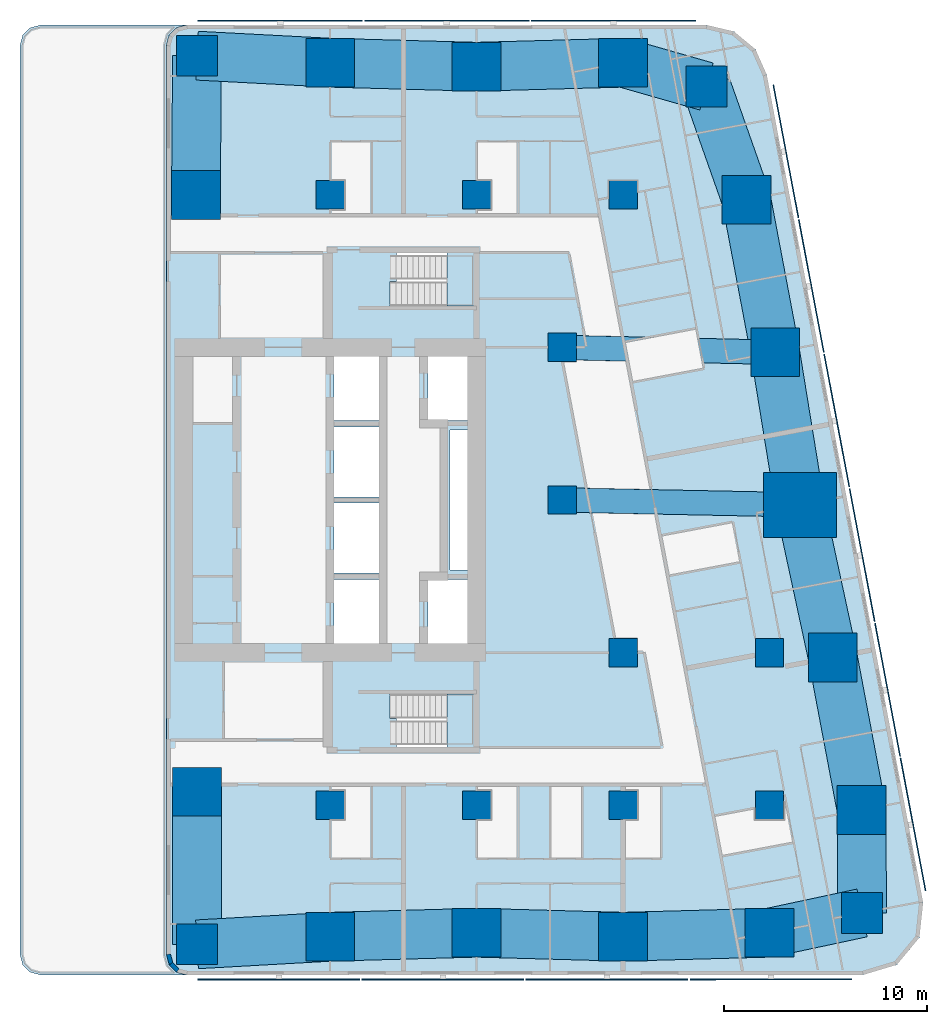
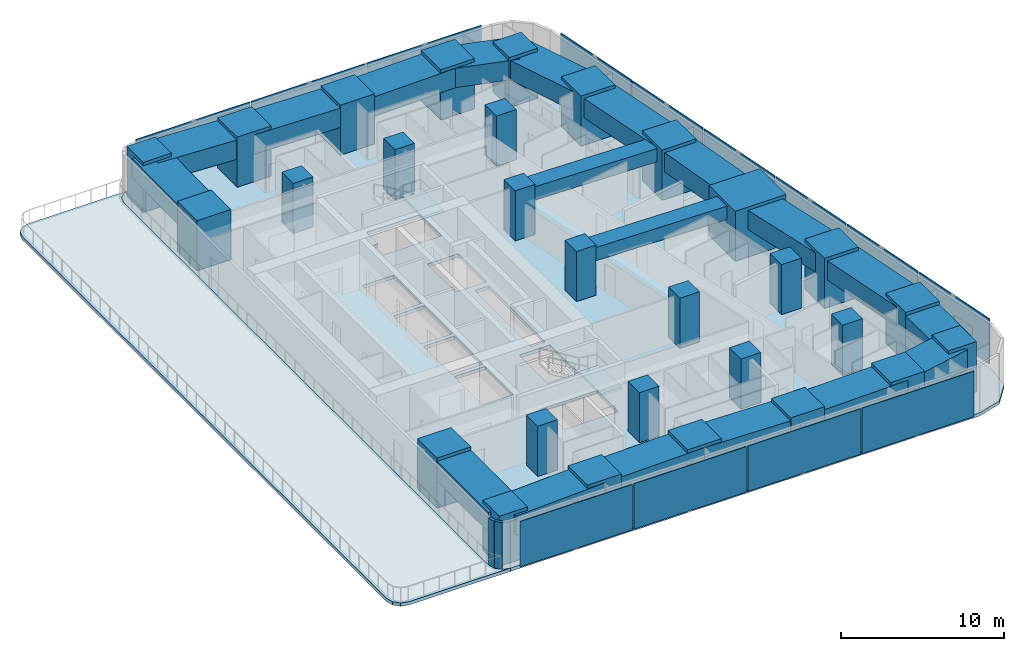
# One storey, part 1 of 11: 29 columns, 19 beams, 13 plates, 4 slabs, 2 walls, 2 elements without a shape of their own.
"""IFC4 building model written with IfcOpenShell, lengths in metres."""

from ifc_helpers import new_model, si_unit, direction, frame, frame_2d, origin, origin_2d, place, context, subcontext, project, spatial, polyline, rectangle, outline, extrude, material, layer, layer_set, material_profile, profile_set, type_object, element, aggregate, save


model = new_model("IFC4")

# Units and contexts
model_context = context("Model", 3, precision=1e-05, world=origin(), true_north=direction((0.0, 1.0)))
body_context = subcontext(model_context, "Body", "Model", "MODEL_VIEW")
ifc_project = project(units=[si_unit("LENGTHUNIT", "METRE"), si_unit("AREAUNIT", "SQUARE_METRE"), si_unit("VOLUMEUNIT", "CUBIC_METRE"), si_unit("PLANEANGLEUNIT", "RADIAN"), si_unit("MASSUNIT", "GRAM", prefix="KILO")], contexts=[model_context])

# Site, building, storey
site_placement = place(None, origin())
site = spatial("IfcSite", under=ifc_project, at=site_placement, CompositionType="ELEMENT")
building_placement = place(site_placement, origin())
building = spatial("IfcBuilding", under=site, at=building_placement, Name="Sheger Commons Tower", CompositionType="ELEMENT")
storey_placement = place(building_placement, frame((0.0, 0.0, 223.699951171875)))
storey = spatial("IfcBuildingStorey", under=building, at=storey_placement, Name="L57", CompositionType="ELEMENT", Elevation=223.699951171875)

# Columns
ifc_material_1 = material(Name="Concrete C50/60", Category="concrete")
ifc_material_profile_1 = material_profile(ifc_material_1, rectangle(XDim=3.60009765625, YDim=3.199951171875, at=origin_2d()), Name="RC 3600x3200")
ifc_profile_set_1 = profile_set([ifc_material_profile_1], Name="Concrete C50/60")
column_type_1 = type_object("IfcColumnType", Name="COLUMN PIER RC 3600x3200", PredefinedType="COLUMN", material=ifc_profile_set_1)
column_placement = place(storey_placement, frame((44.697021484375, 22.262939453125, 0.0), z_axis=(0.0, 0.0, 1.0), x_axis=(1.0, 0.0, 0.0)))
element("IfcColumn", 1, at=column_placement, inside=storey, type_object=column_type_1, Name="Pier 7/D+E/D L57", PredefinedType="COLUMN", context=body_context, shape_type="SweptSolid", body=[
    extrude(rectangle(XDim=3.60009765625, YDim=3.199951171875, at=origin_2d()), origin(), (0.0, 0.0, 1.0), 3.75),
])
ifc_material_2 = material(Name="Concrete C50/60", Category="concrete")
ifc_material_profile_2 = material_profile(ifc_material_2, rectangle(XDim=1.39990234375, YDim=1.39990234375, at=origin_2d()), Name="RC 1400x1400")
ifc_profile_set_2 = profile_set([ifc_material_profile_2], Name="Concrete C50/60")
column_type_2 = type_object("IfcColumnType", Name="COLUMN RC 1400x1400", PredefinedType="COLUMN", material=ifc_profile_set_2)
for number, where, z_axis, x_axis, name in (
    (2, (21.60009765625, 7.5, 0.0), (0.0, 0.0, 1.0), (1.0, 0.0, 0.0), "Column 4/B L57"),
    (3, (28.800048828125, 7.5, 0.0), (0.0, 0.0, 1.0), (1.0, 0.0, 0.0), "Column 5/B L57"),
    (4, (36.0, 7.5, 0.0), (0.0, 0.0, 1.0), (1.0, 0.0, 0.0), "Column 6/B L57"),
    (5, (43.199951171875, 7.5, 0.0), (0.0, 0.0, 1.0), (1.0, 0.0, 0.0), "Column 7/B L57"),
    (6, (36.0, 15.0, 0.0), (0.0, 0.0, 1.0), (1.0, 0.0, 0.0), "Column 6/C L57"),
    (7, (43.199951171875, 15.0, 0.0), (0.0, 0.0, 1.0), (1.0, 0.0, 0.0), "Column 7/C L57"),
    (8, (33.0, 22.5, 0.0), (0.0, 0.0, 1.0), (1.0, 0.0, 0.0), "Column 6-3000/D L57"),
    (9, (33.0, 30.0, 0.0), (0.0, 0.0, 1.0), (1.0, 0.0, 0.0), "Column 6-3000/E L57"),
    (10, (21.60009765625, 37.5, 0.0), (0.0, 0.0, 1.0), (1.0, 0.0, 0.0), "Column 4/F L57"),
    (11, (28.800048828125, 37.5, 0.0), (0.0, 0.0, 1.0), (1.0, 0.0, 0.0), "Column 5/F L57"),
    (12, (36.0, 37.5, 0.0), (0.0, 0.0, 1.0), (1.0, 0.0, 0.0), "Column 6/F L57"),
):
    element("IfcColumn", number, at=place(storey_placement, frame(where, z_axis=z_axis, x_axis=x_axis)), inside=storey, type_object=column_type_2, Name=name, PredefinedType="COLUMN", context=body_context, shape_type="SweptSolid", body=[
        extrude(rectangle(XDim=1.39990234375, YDim=1.39990234375, at=origin_2d()), origin(), (0.0, 0.0, 1.0), 3.75),
    ])
ifc_material_3 = material(Name="Concrete C50/60", Category="concrete")
ifc_material_profile_3 = material_profile(ifc_material_3, rectangle(XDim=2.0, YDim=2.0, at=origin_2d()), Name="RC 2000x2000")
ifc_profile_set_3 = profile_set([ifc_material_profile_3], Name="Concrete C50/60")
column_type_3 = type_object("IfcColumnType", Name="COLUMN RC 2000x2000", PredefinedType="COLUMN", material=ifc_profile_set_3)
for number, where, z_axis, x_axis, name in (
    (13, (15.053955078125, 0.654052734375, 0.0), (0.0, 0.0, 1.0), (1.0, 0.0, 0.0), "Column 3/A L57"),
    (14, (47.748046875, 2.197021484375, 0.0), (0.0, 0.0, 1.0), (1.0, 0.0, 0.0), "Column 49.461,0.778 L57"),
    (15, (40.10205078125, 42.830078125, 0.0), (0.0, 0.0, 1.0), (1.0, 0.0, 0.0), "Column 41.490,44.505 L57"),
    (16, (15.053955078125, 44.345947265625, 0.0), (0.0, 0.0, 1.0), (1.0, 0.0, 0.0), "Column 3/G L57"),
):
    element("IfcColumn", number, at=place(storey_placement, frame(where, z_axis=z_axis, x_axis=x_axis)), inside=storey, type_object=column_type_3, Name=name, PredefinedType="COLUMN", context=body_context, shape_type="SweptSolid", body=[
        extrude(rectangle(XDim=2.0, YDim=2.0, at=origin_2d()), origin(), (0.0, 0.0, 1.0), 3.75),
    ])
ifc_material_4 = material(Name="Concrete C50/60", Category="concrete")
ifc_material_profile_4 = material_profile(ifc_material_4, rectangle(XDim=2.39990234375, YDim=2.39990234375, at=origin_2d()), Name="RC 2400x2400")
ifc_profile_set_4 = profile_set([ifc_material_profile_4], Name="Concrete C50/60")
column_type_4 = type_object("IfcColumnType", Name="COLUMN RC 2400x2400", PredefinedType="COLUMN", material=ifc_profile_set_4)
for number, where, z_axis, x_axis, name in (
    (17, (21.60009765625, 1.02490234375, 0.0), (0.0, 0.0, 1.0), (1.0, 0.0, 0.0), "Column 4/A L57"),
    (18, (28.800048828125, 1.22509765625, 0.0), (0.0, 0.0, 1.0), (1.0, 0.0, 0.0), "Column 5/A L57"),
    (19, (36.0, 1.02490234375, 0.0), (0.0, 0.0, 1.0), (1.0, 0.0, 0.0), "Column 6/A L57"),
    (20, (43.199951171875, 1.22509765625, 0.0), (0.0, 0.0, 1.0), (1.0, 0.0, 0.0), "Column 7/A L57"),
    (21, (15.053955078125, 8.154052734375, 0.0), (0.0, 0.0, 1.0), (1.0, 0.0, 0.0), "Column 3/B L57"),
    (22, (47.72998046875, 7.262939453125, 0.0), (0.0, 0.0, 1.0), (1.0, 0.0, 0.0), "Column E/B L57"),
    (23, (46.31396484375, 14.762939453125, 0.0), (0.0, 0.0, 1.0), (1.0, 0.0, 0.0), "Column E/C L57"),
    (24, (43.47998046875, 29.762939453125, 0.0), (0.0, 0.0, 1.0), (1.0, 0.0, 0.0), "Column E/E L57"),
    (25, (15.0, 37.5, 0.0), (0.0, 0.0, 1.0), (1.0, 0.0, 0.0), "Column 3/F L57"),
    (26, (42.06396484375, 37.262939453125, 0.0), (0.0, 0.0, 1.0), (1.0, 0.0, 0.0), "Column E/F L57"),
    (27, (21.60009765625, 44.0, 0.0), (0.0, 0.0, 1.0), (1.0, 0.0, 0.0), "Column 4/G L57"),
    (28, (28.800048828125, 43.800048828125, 0.0), (0.0, 0.0, 1.0), (1.0, 0.0, 0.0), "Column 5/G L57"),
    (29, (36.0, 44.0, 0.0), (0.0, 0.0, 1.0), (1.0, 0.0, 0.0), "Column 6/G L57"),
):
    element("IfcColumn", number, at=place(storey_placement, frame(where, z_axis=z_axis, x_axis=x_axis)), inside=storey, type_object=column_type_4, Name=name, PredefinedType="COLUMN", context=body_context, shape_type="SweptSolid", body=[
        extrude(rectangle(XDim=2.39990234375, YDim=2.39990234375, at=origin_2d()), origin(), (0.0, 0.0, 1.0), 3.75),
    ])

# Beams
ifc_material_5 = material(Name="Concrete C50/60", Category="concrete")
ifc_material_profile_5 = material_profile(ifc_material_5, rectangle(XDim=1.199951171875, YDim=1.0, at=origin_2d()), Name="RC 1200x1000")
ifc_profile_set_5 = profile_set([ifc_material_profile_5], Name="Concrete C50/60")
beam_type_1 = type_object("IfcBeamType", Name="BEAM RC 1200x1000", PredefinedType="BEAM", material=ifc_profile_set_5)
beam_1_placement = place(storey_placement, frame((33.0, 22.5, 3.0), z_axis=(0.999794692776, -0.02026258368, 0.0), x_axis=(0.02026258368, 0.999794692776, 0.0)))
element("IfcBeam", 30, at=beam_1_placement, inside=storey, type_object=beam_type_1, Name="Beam 6-3000/D-7/D under L58", PredefinedType="BEAM", context=body_context, shape_type="SweptSolid", body=[
    extrude(rectangle(XDim=1.199951171875, YDim=1.0, at=origin_2d()), origin(), (0.0, 0.0, 1.0), 11.699462890625),
])
beam_2_placement = place(storey_placement, frame((33.0, 30.0, 3.0), z_axis=(0.999744258625, -0.022614538395, 0.0), x_axis=(0.022614538395, 0.999744258625, 0.0)))
element("IfcBeam", 31, at=beam_2_placement, inside=storey, type_object=beam_type_1, Name="Beam 6-3000/E-E/E under L58", PredefinedType="BEAM", context=body_context, shape_type="SweptSolid", body=[
    extrude(rectangle(XDim=1.199951171875, YDim=1.0, at=origin_2d()), origin(), (0.0, 0.0, 1.0), 10.482666015625),
])
ifc_material_6 = material(Name="Concrete C50/60", Category="concrete")
ifc_material_profile_6 = material_profile(ifc_material_6, rectangle(XDim=2.39990234375, YDim=1.449951171875, at=origin_2d()), Name="RC 2400x1450")
ifc_profile_set_6 = profile_set([ifc_material_profile_6], Name="Concrete C50/60")
beam_type_2 = type_object("IfcBeamType", Name="SPANDREL RC 2400x1450", PredefinedType="SPANDREL", material=ifc_profile_set_6)
beam_3_placement = place(storey_placement, frame((15.053955078125, 0.654052734375, 2.775146484375), z_axis=(0.998399149044, 0.056560933405, 0.0), x_axis=(-0.056560933405, 0.998399149044, 0.0)))
element("IfcBeam", 32, at=beam_3_placement, inside=storey, type_object=beam_type_2, Name="Beam 3/A-4/A under L58", PredefinedType="SPANDREL", context=body_context, shape_type="SweptSolid", body=[
    extrude(rectangle(XDim=2.39990234375, YDim=1.449951171875, at=origin_2d()), origin(), (0.0, 0.0, 1.0), 6.556640625),
])
for number, where, z_axis, x_axis, name in (
    (33, (21.60009765625, 1.02490234375, 2.775146484375), (0.9996136624, 0.027794350926, 0.0), (-0.027794350926, 0.9996136624, 0.0), "Beam 4/A-5/A under L58"),
    (34, (28.800048828125, 1.22509765625, 2.775146484375), (0.9996136624, -0.027794350926, 0.0), (0.027794350926, 0.9996136624, 0.0), "Beam 5/A-6/A under L58"),
    (35, (36.0, 1.02490234375, 2.775146484375), (0.9996136624, 0.027794350926, 0.0), (-0.027794350926, 0.9996136624, 0.0), "Beam 6/A-7/A under L58"),
):
    element("IfcBeam", number, at=place(storey_placement, frame(where, z_axis=z_axis, x_axis=x_axis)), inside=storey, type_object=beam_type_2, Name=name, PredefinedType="SPANDREL", context=body_context, shape_type="SweptSolid", body=[
        extrude(rectangle(XDim=2.39990234375, YDim=1.449951171875, at=origin_2d()), origin(), (0.0, 0.0, 1.0), 7.20263671875),
    ])
beam_4_placement = place(storey_placement, frame((43.199951171875, 1.22509765625, 2.775146484375), z_axis=(0.977919796671, 0.208980552394, 0.0), x_axis=(-0.208980552394, 0.977919796671, 0.0)))
element("IfcBeam", 36, at=beam_4_placement, inside=storey, type_object=beam_type_2, Name="Beam 7/A-49.461,0.778 under L58", PredefinedType="SPANDREL", context=body_context, shape_type="SweptSolid", body=[
    extrude(rectangle(XDim=2.39990234375, YDim=1.449951171875, at=origin_2d()), origin(), (0.0, 0.0, 1.0), 4.65087890625),
])
beam_5_placement = place(storey_placement, frame((47.748046875, 2.197021484375, 2.775146484375), z_axis=(-0.003566242382, 0.999993640937, 0.0), x_axis=(-0.999993640937, -0.003566242382, 0.0)))
element("IfcBeam", 37, at=beam_5_placement, inside=storey, type_object=beam_type_2, Name="Beam 49.461,0.778-E/B under L58", PredefinedType="SPANDREL", context=body_context, shape_type="SweptSolid", body=[
    extrude(rectangle(XDim=2.39990234375, YDim=1.449951171875, at=origin_2d()), origin(), (0.0, 0.0, 1.0), 5.06591796875),
])
beam_6_placement = place(storey_placement, frame((47.72998046875, 7.262939453125, 2.775146484375), z_axis=(-0.18552441405, 0.982639655108, 0.0), x_axis=(-0.982639655108, -0.18552441405, 0.0)))
element("IfcBeam", 38, at=beam_6_placement, inside=storey, type_object=beam_type_2, Name="Beam E/B-E/C under L58", PredefinedType="SPANDREL", context=body_context, shape_type="SweptSolid", body=[
    extrude(rectangle(XDim=2.39990234375, YDim=1.449951171875, at=origin_2d()), origin(), (0.0, 0.0, 1.0), 7.632568359375),
])
beam_7_placement = place(storey_placement, frame((46.31396484375, 14.762939453125, 2.775146484375), z_axis=(-0.210750229323, 0.977539943348, 0.0), x_axis=(-0.977539943348, -0.210750229323, 0.0)))
element("IfcBeam", 39, at=beam_7_placement, inside=storey, type_object=beam_type_2, Name="Beam E/C-E/D under L58", PredefinedType="SPANDREL", context=body_context, shape_type="SweptSolid", body=[
    extrude(rectangle(XDim=2.39990234375, YDim=1.449951171875, at=origin_2d()), origin(), (0.0, 0.0, 1.0), 7.67236328125),
])
beam_8_placement = place(storey_placement, frame((44.697021484375, 22.262939453125, 2.775146484375), z_axis=(-0.160176929512, 0.987088319884, 0.0), x_axis=(-0.987088319884, -0.160176929512, 0.0)))
element("IfcBeam", 40, at=beam_8_placement, inside=storey, type_object=beam_type_2, Name="Beam E/D-E/E under L58", PredefinedType="SPANDREL", context=body_context, shape_type="SweptSolid", body=[
    extrude(rectangle(XDim=2.39990234375, YDim=1.449951171875, at=origin_2d()), origin(), (0.0, 0.0, 1.0), 7.59814453125),
])
beam_9_placement = place(storey_placement, frame((43.47998046875, 29.762939453125, 2.775146484375), z_axis=(-0.18552441405, 0.982639655108, 0.0), x_axis=(-0.982639655108, -0.18552441405, 0.0)))
element("IfcBeam", 41, at=beam_9_placement, inside=storey, type_object=beam_type_2, Name="Beam E/E-E/F under L58", PredefinedType="SPANDREL", context=body_context, shape_type="SweptSolid", body=[
    extrude(rectangle(XDim=2.39990234375, YDim=1.449951171875, at=origin_2d()), origin(), (0.0, 0.0, 1.0), 7.632568359375),
])
beam_10_placement = place(storey_placement, frame((42.06396484375, 37.262939453125, 2.775146484375), z_axis=(-0.332374403357, 0.943147526102, 0.0), x_axis=(-0.943147526102, -0.332374403357, 0.0)))
element("IfcBeam", 42, at=beam_10_placement, inside=storey, type_object=beam_type_2, Name="Beam E/F-41.490,44.505 under L58", PredefinedType="SPANDREL", context=body_context, shape_type="SweptSolid", body=[
    extrude(rectangle(XDim=2.39990234375, YDim=1.449951171875, at=origin_2d()), origin(), (0.0, 0.0, 1.0), 5.90283203125),
])
beam_11_placement = place(storey_placement, frame((40.10205078125, 42.830078125, 2.775146484375), z_axis=(-0.961653428129, 0.274267541221, 0.0), x_axis=(-0.274267541221, -0.961653428129, 0.0)))
element("IfcBeam", 43, at=beam_11_placement, inside=storey, type_object=beam_type_2, Name="Beam 41.490,44.505-6/G under L58", PredefinedType="SPANDREL", context=body_context, shape_type="SweptSolid", body=[
    extrude(rectangle(XDim=2.39990234375, YDim=1.449951171875, at=origin_2d()), origin(), (0.0, 0.0, 1.0), 4.265625),
])
for number, where, z_axis, x_axis, name in (
    (44, (36.0, 44.0, 2.775146484375), (-0.999614603568, -0.027760481514, 0.0), (0.027760481514, -0.999614603568, 0.0), "Beam 6/G-5/G under L58"),
    (45, (28.800048828125, 43.800048828125, 2.775146484375), (-0.999614603568, 0.027760481514, 0.0), (-0.027760481514, -0.999614603568, 0.0), "Beam 5/G-4/G under L58"),
):
    element("IfcBeam", number, at=place(storey_placement, frame(where, z_axis=z_axis, x_axis=x_axis)), inside=storey, type_object=beam_type_2, Name=name, PredefinedType="SPANDREL", context=body_context, shape_type="SweptSolid", body=[
        extrude(rectangle(XDim=2.39990234375, YDim=1.449951171875, at=origin_2d()), origin(), (0.0, 0.0, 1.0), 7.20263671875),
    ])
beam_12_placement = place(storey_placement, frame((21.60009765625, 44.0, 2.775146484375), z_axis=(-0.998606489137, 0.052773855783, 0.0), x_axis=(-0.052773855783, -0.998606489137, 0.0)))
element("IfcBeam", 46, at=beam_12_placement, inside=storey, type_object=beam_type_2, Name="Beam 4/G-3/G under L58", PredefinedType="SPANDREL", context=body_context, shape_type="SweptSolid", body=[
    extrude(rectangle(XDim=2.39990234375, YDim=1.449951171875, at=origin_2d()), origin(), (0.0, 0.0, 1.0), 6.55517578125),
])
beam_13_placement = place(storey_placement, frame((15.053955078125, 44.345947265625, 2.775146484375), z_axis=(-0.00788107188, -0.999968943871, 0.0), x_axis=(0.999968943871, -0.00788107188, 0.0)))
element("IfcBeam", 47, at=beam_13_placement, inside=storey, type_object=beam_type_2, Name="Beam 3/G-3/F under L58", PredefinedType="SPANDREL", context=body_context, shape_type="SweptSolid", body=[
    extrude(rectangle(XDim=2.39990234375, YDim=1.449951171875, at=origin_2d()), origin(), (0.0, 0.0, 1.0), 6.84619140625),
])
beam_14_placement = place(storey_placement, frame((15.053955078125, 8.154052734375, 2.775146484375), z_axis=(0.0, -1.0, 0.0), x_axis=(1.0, 0.0, 0.0)))
element("IfcBeam", 48, at=beam_14_placement, inside=storey, type_object=beam_type_2, Name="Beam 3/B-3/A under L58", PredefinedType="SPANDREL", context=body_context, shape_type="SweptSolid", body=[
    extrude(rectangle(XDim=2.39990234375, YDim=1.449951171875, at=origin_2d()), origin(), (0.0, 0.0, 1.0), 7.5),
])

# Slabs
ifc_material_7 = material(Name="Concrete C35/45", Category="concrete")
ifc_layer_1 = layer(ifc_material_7, 0.25)
ifc_layer_set_1 = layer_set([ifc_layer_1], Name="SLAB FLOOR 250")
slab_type_1 = type_object("IfcSlabType", Name="SLAB FLOOR 250", PredefinedType="FLOOR", material=ifc_layer_set_1)
slab_1_placement = place(storey_placement, frame((0.0, 0.0, -0.25)))
element("IfcSlab", 49, at=slab_1_placement, inside=storey, type_object=slab_type_1, Name="L57 floor slab", PredefinedType="FLOOR", context=body_context, shape_type="SweptSolid", body=[
    extrude(outline(polyline([(13.550048828125, 0.14990234375), (13.68408203125, -0.35009765625), (14.050048828125, -0.716064453125), (14.550048828125, -0.85009765625), (47.805908203125, -0.85009765625), (49.465087890625, -0.35009765625), (50.570068359375, 0.98388671875), (50.75390625, 2.70703125), (43.06591796875, 43.406982421875), (42.509033203125, 44.660888671875), (41.452880859375, 45.535888671875), (40.117919921875, 45.85009765625), (14.550048828125, 45.85009765625), (14.050048828125, 45.716064453125), (13.68408203125, 45.35009765625), (13.550048828125, 44.85009765625), (13.550048828125, 0.14990234375)]), holes=[polyline([(24.85009765625, 10.35009765625), (28.64990234375, 10.35009765625), (28.64990234375, 12.949951171875), (24.551025390625, 12.949951171875), (24.551025390625, 11.75), (24.85009765625, 11.75), (24.85009765625, 10.35009765625)]), polyline([(24.551025390625, 32.050048828125), (28.64990234375, 32.050048828125), (28.64990234375, 34.64990234375), (24.85009765625, 34.64990234375), (24.85009765625, 33.25), (24.551025390625, 33.25), (24.551025390625, 32.050048828125)]), polyline([(26.39990234375, 15.14990234375), (28.60009765625, 15.14990234375), (28.60009765625, 18.60009765625), (26.39990234375, 18.60009765625), (26.39990234375, 15.14990234375)]), polyline([(26.39990234375, 26.39990234375), (28.60009765625, 26.39990234375), (28.60009765625, 29.85009765625), (26.39990234375, 29.85009765625), (26.39990234375, 26.39990234375)]), polyline([(21.800048828125, 15.14990234375), (24.0, 15.14990234375), (24.0, 18.60009765625), (21.800048828125, 18.60009765625), (21.800048828125, 15.14990234375)]), polyline([(21.800048828125, 18.89990234375), (24.0, 18.89990234375), (24.0, 22.35009765625), (21.800048828125, 22.35009765625), (21.800048828125, 18.89990234375)]), polyline([(21.800048828125, 22.64990234375), (24.0, 22.64990234375), (24.0, 26.10009765625), (21.800048828125, 26.10009765625), (21.800048828125, 22.64990234375)]), polyline([(21.800048828125, 26.39990234375), (24.0, 26.39990234375), (24.0, 29.85009765625), (21.800048828125, 29.85009765625), (21.800048828125, 26.39990234375)]), polyline([(27.5, 19.050048828125), (28.5, 19.050048828125), (28.5, 25.949951171875), (27.5, 25.949951171875), (27.5, 19.050048828125)])]), origin(), (0.0, 0.0, 1.0), 0.25),
])
ifc_material_8 = material(Name="Concrete C35/45", Category="concrete")
ifc_layer_2 = layer(ifc_material_8, 0.25)
ifc_layer_set_2 = layer_set([ifc_layer_2], Name="SLAB ROOF 250")
slab_type_2 = type_object("IfcSlabType", Name="SLAB ROOF 250", PredefinedType="ROOF", material=ifc_layer_set_2)
slab_2_placement = place(storey_placement, frame((0.0, 0.0, -0.25)))
element("IfcSlab", 50, at=slab_2_placement, inside=storey, type_object=slab_type_2, Name="Roof terrace", PredefinedType="ROOF", context=body_context, shape_type="SweptSolid", body=[
    extrude(outline(polyline([(7.35009765625, -0.85009765625), (14.550048828125, -0.85009765625), (14.050048828125, -0.716064453125), (13.68408203125, -0.35009765625), (13.550048828125, 0.14990234375), (13.550048828125, 44.85009765625), (13.68408203125, 45.35009765625), (14.050048828125, 45.716064453125), (14.550048828125, 45.85009765625), (7.35009765625, 45.85009765625), (6.85009765625, 45.716064453125), (6.48388671875, 45.35009765625), (6.35009765625, 44.85009765625), (6.35009765625, 0.14990234375), (6.48388671875, -0.35009765625), (6.85009765625, -0.716064453125), (7.35009765625, -0.85009765625)])), origin(), (0.0, 0.0, 1.0), 0.25),
])

# Plates
ifc_material_9 = material(Name="Perforated black anodised aluminium screen", Category="aluminium")
ifc_layer_3 = layer(ifc_material_9, 0.050048828125)
ifc_layer_set_3 = layer_set([ifc_layer_3], Name="SOLAR SCREEN SCREEN-1")
plate_type = type_object("IfcPlateType", Name="SOLAR SCREEN SCREEN-1", PredefinedType="USERDEFINED", material=ifc_layer_set_3)
for number, where, z_axis, x_axis, name in (
    (51, (19.08203125, -1.074951171875, 0.050048828125), (0.0, 0.0, 1.0), (1.0, 0.0, 0.0), "Perforated solar screen panel"),
    (52, (27.14599609375, -1.074951171875, 0.050048828125), (0.0, 0.0, 1.0), (1.0, 0.0, 0.0), "Perforated solar screen panel"),
    (53, (35.2099609375, -1.074951171875, 0.050048828125), (0.0, 0.0, 1.0), (1.0, 0.0, 0.0), "Perforated solar screen panel"),
    (54, (43.27392578125, -1.074951171875, 0.050048828125), (0.0, 0.0, 1.0), (1.0, 0.0, 0.0), "Perforated solar screen panel"),
):
    element("IfcPlate", number, at=place(storey_placement, frame(where, z_axis=z_axis, x_axis=x_axis)), inside=storey, type_object=plate_type, Name=name, ObjectType="SCREEN", PredefinedType="USERDEFINED", context=body_context, shape_type="SweptSolid", body=[
        extrude(rectangle(XDim=7.964111328125, YDim=0.050048828125, at=origin_2d()), origin(), (0.0, 0.0, 1.0), 3.39990234375),
    ])
for number, where, z_axis, x_axis, name in (
    (55, (50.257080078125, 6.550048828125, 0.050048828125), (0.0, 0.0, 1.0), (-0.185615165645, 0.982622516678, 0.0), "Perforated solar screen panel"),
    (56, (49.007080078125, 13.1689453125, 0.050048828125), (0.0, 0.0, 1.0), (-0.185615165645, 0.982622516678, 0.0), "Perforated solar screen panel"),
    (57, (47.756103515625, 19.7890625, 0.050048828125), (0.0, 0.0, 1.0), (-0.185615165645, 0.982622516678, 0.0), "Perforated solar screen panel"),
    (58, (46.506103515625, 26.408935546875, 0.050048828125), (0.0, 0.0, 1.0), (-0.185615165645, 0.982622516678, 0.0), "Perforated solar screen panel"),
    (59, (45.2548828125, 33.028076171875, 0.050048828125), (0.0, 0.0, 1.0), (-0.185615165645, 0.982622516678, 0.0), "Perforated solar screen panel"),
    (60, (44.0048828125, 39.64794921875, 0.050048828125), (0.0, 0.0, 1.0), (-0.185615165645, 0.982622516678, 0.0), "Perforated solar screen panel"),
):
    element("IfcPlate", number, at=place(storey_placement, frame(where, z_axis=z_axis, x_axis=x_axis)), inside=storey, type_object=plate_type, Name=name, ObjectType="SCREEN", PredefinedType="USERDEFINED", context=body_context, shape_type="SweptSolid", body=[
        extrude(rectangle(XDim=6.636962890625, YDim=0.050048828125, at=origin_2d()), origin(), (0.0, 0.0, 1.0), 3.39990234375),
    ])
for number, where, z_axis, x_axis, name in (
    (61, (35.52294921875, 46.074951171875, 0.050048828125), (0.0, 0.0, 1.0), (-1.0, 0.0, 0.0), "Perforated solar screen panel"),
    (62, (27.333984375, 46.074951171875, 0.050048828125), (0.0, 0.0, 1.0), (-1.0, 0.0, 0.0), "Perforated solar screen panel"),
    (63, (19.14501953125, 46.074951171875, 0.050048828125), (0.0, 0.0, 1.0), (-1.0, 0.0, 0.0), "Perforated solar screen panel"),
):
    element("IfcPlate", number, at=place(storey_placement, frame(where, z_axis=z_axis, x_axis=x_axis)), inside=storey, type_object=plate_type, Name=name, ObjectType="SCREEN", PredefinedType="USERDEFINED", context=body_context, shape_type="SweptSolid", body=[
        extrude(rectangle(XDim=8.089111328125, YDim=0.050048828125, at=origin_2d()), origin(), (0.0, 0.0, 1.0), 3.39990234375),
    ])

# Stair, slab
ifc_material_10 = material(Name="Concrete C35/45", Category="concrete")
stair_type = type_object("IfcStairType", Name="HALF-TURN STAIR 1200 RISE 3750", PredefinedType="HALF_TURN_STAIR", material=ifc_material_10)
stair_1_placement = place(storey_placement, origin())
stair_1 = element("IfcStair", 64, at=stair_1_placement, inside=storey, type_object=stair_type, Name="Stair S1 L57", PredefinedType="HALF_TURN_STAIR")
ifc_material_11 = material(Name="Concrete C35/45", Category="concrete")
ifc_layer_4 = layer(ifc_material_11, 0.199951171875)
ifc_layer_set_4 = layer_set([ifc_layer_4], Name="STAIR LANDING 200")
slab_type_3 = type_object("IfcSlabType", Name="STAIR LANDING 200", PredefinedType="LANDING", material=ifc_layer_set_4)
slab_3_placement = place(storey_placement, frame((0.0, 0.0, 1.675048828125)))
slab_3 = element("IfcSlab", 65, at=slab_3_placement, type_object=slab_type_3, Name="S1 landing 1", PredefinedType="LANDING", context=body_context, shape_type="SweptSolid", body=[
    extrude(outline(polyline([(27.35009765625, 10.199951171875), (28.800048828125, 10.199951171875), (28.800048828125, 12.949951171875), (27.35009765625, 12.949951171875), (27.35009765625, 10.199951171875)])), origin(), (0.0, 0.0, 1.0), 0.199951171875),
])
aggregate(stair_1, [slab_3])

stair_2_placement = place(storey_placement, origin())
stair_2 = element("IfcStair", 66, at=stair_2_placement, inside=storey, type_object=stair_type, Name="Stair S2 L57", PredefinedType="HALF_TURN_STAIR")
slab_4_placement = place(storey_placement, frame((0.0, 0.0, 1.675048828125)))
slab_4 = element("IfcSlab", 67, at=slab_4_placement, type_object=slab_type_3, Name="S2 landing 1", PredefinedType="LANDING", context=body_context, shape_type="SweptSolid", body=[
    extrude(outline(polyline([(27.35009765625, 32.050048828125), (28.800048828125, 32.050048828125), (28.800048828125, 34.800048828125), (27.35009765625, 34.800048828125), (27.35009765625, 32.050048828125)])), origin(), (0.0, 0.0, 1.0), 0.199951171875),
])
aggregate(stair_2, [slab_4])

# Walls
ifc_material_12 = material(Name="Rendered concrete block masonry, dark grey", Category="masonry")
ifc_layer_5 = layer(ifc_material_12, 0.199951171875)
ifc_layer_set_5 = layer_set([ifc_layer_5], Name="FACADE WALL 200")
wall_type = type_object("IfcWallType", Name="FACADE WALL 200", PredefinedType="SOLIDWALL", material=ifc_layer_set_5)
wall_1_placement = place(storey_placement, frame((13.64990234375, 0.1630859375, 0.0), z_axis=(0.0, 0.0, 1.0), x_axis=(0.259698463175, -0.965689757751, 0.0)))
element("IfcWall", 68, at=wall_1_placement, inside=storey, type_object=wall_type, Name="Facade wall L57", PredefinedType="SOLIDWALL", context=body_context, shape_type="SweptSolid", body=[
    extrude(rectangle(XDim=0.4775390625, YDim=0.199951171875, at=frame_2d((0.23876953125, 0.0))), origin(), (0.0, 0.0, 1.0), 3.5),
])
wall_2_placement = place(storey_placement, frame((13.77392578125, -0.298095703125, 0.0), z_axis=(0.0, 0.0, 1.0), x_axis=(0.707369890659, -0.706843573776, 0.0)))
element("IfcWall", 69, at=wall_2_placement, inside=storey, type_object=wall_type, Name="Facade wall L57", PredefinedType="SOLIDWALL", context=body_context, shape_type="SweptSolid", body=[
    extrude(rectangle(XDim=0.4638671875, YDim=0.199951171875, at=frame_2d((0.23193359375, 0.0))), origin(), (0.0, 0.0, 1.0), 3.5),
])

save(model, "model.ifc")
